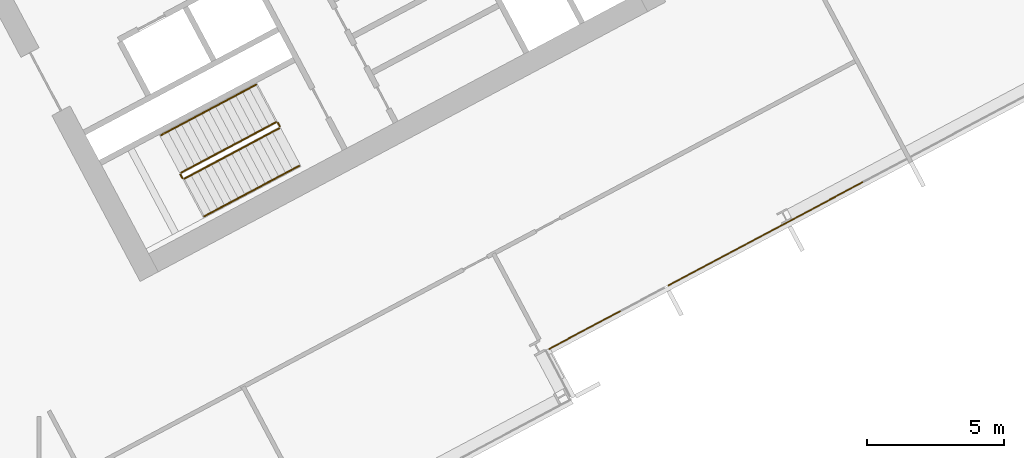
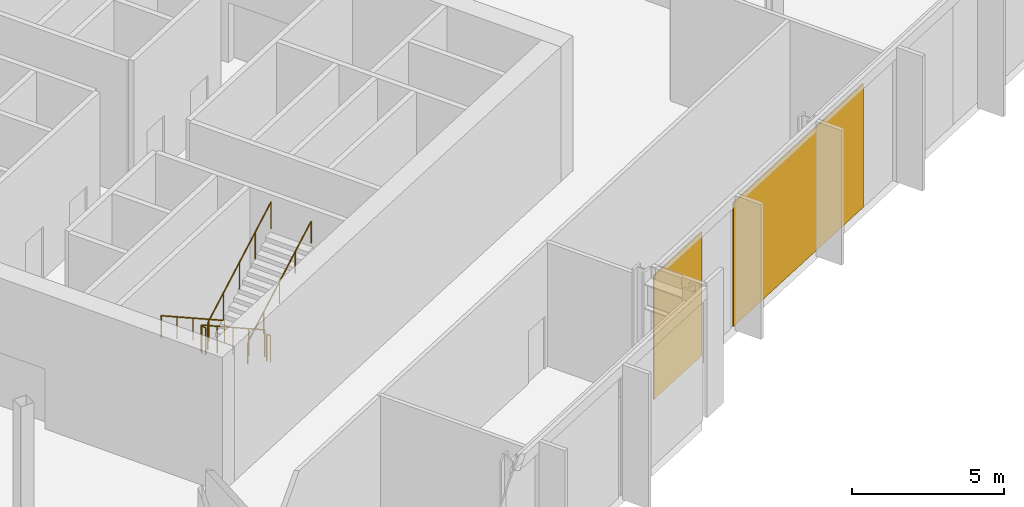
# One storey, part 27 of 31: 6 railings, 2 coverings, 1 element without a shape of its own.
"""IFC4 building model written with IfcOpenShell, lengths in metres."""

import ifcopenshell
import ifcopenshell.guid

model = None  # the IFC model being written
_history = None  # IfcOwnerHistory: only IFC2X3 demands one
_inside = {}  # id of a spatial element -> (the spatial element, [elements in it])
_under = {}  # id of a project, library or spatial element -> (it, [spatial elements below it])
_declared = {}  # id of a project -> (the project, [libraries it declares])
_typed = {}  # id of a type object -> (the type object, [elements of that type])
_made_of = {}  # id of a material, layer set ... -> (it, [elements and type objects made of it])


def new_model(schema):
    """Start an empty IFC model of exactly this schema.

    Asked for "IFC4X3", IfcOpenShell would pick the latest addendum, in which some entities
    have other attributes; the version numbers below select the first issue.
    IFC2X3 requires an IfcOwnerHistory on every rooted entity: one is made here for all.
    """
    global model, _history
    if schema == "IFC4X3":
        model = ifcopenshell.file(schema_version=(4, 3, 0, 0))
    else:
        model = ifcopenshell.file(schema=schema)
    _inside.clear()
    _under.clear()
    _declared.clear()
    _typed.clear()
    _made_of.clear()
    _history = None
    if model.schema == "IFC2X3":
        org = make("IfcOrganization", Name="unknown")
        user = make(
            "IfcPersonAndOrganization",
            ThePerson=make("IfcPerson", FamilyName="unknown"),
            TheOrganization=org,
        )
        app = make(
            "IfcApplication",
            ApplicationDeveloper=org,
            Version="unknown",
            ApplicationFullName="unknown",
            ApplicationIdentifier="unknown",
        )
        _history = make(
            "IfcOwnerHistory",
            OwningUser=user,
            OwningApplication=app,
            ChangeAction="ADDED",
            CreationDate=0,
        )
    return model


def make(cls, **values):
    """One entity of the class cls with the attributes given. An attribute that is None is left unset."""
    return model.create_entity(
        cls, **{name: value for name, value in values.items() if value is not None}
    )


def rooted(cls, **values):
    """An entity with a GlobalId (a new one), such as an element, a storey or a relation."""
    return make(cls, GlobalId=ifcopenshell.guid.new(), OwnerHistory=_history, **values)


def si_unit(unit_type, name, prefix=None):
    """IfcSIUnit, for example si_unit("LENGTHUNIT", "METRE", prefix="MILLI")."""
    return make("IfcSIUnit", UnitType=unit_type, Prefix=prefix, Name=name)


def assignment(units):
    """IfcUnitAssignment: the units of a project."""
    return None if units is None else make("IfcUnitAssignment", Units=units)


def point(xyz):
    """IfcCartesianPoint."""
    return None if xyz is None else make("IfcCartesianPoint", Coordinates=xyz)


def direction(xyz):
    """IfcDirection."""
    return None if xyz is None else make("IfcDirection", DirectionRatios=xyz)


def frame(location, z_axis=None, x_axis=None):
    """IfcAxis2Placement3D, a coordinate frame: its origin and axes. An axis left out is left unset."""
    return make(
        "IfcAxis2Placement3D",
        Location=point(location),
        Axis=direction(z_axis),
        RefDirection=direction(x_axis),
    )


def frame_2d(location, x_axis=None):
    """IfcAxis2Placement2D, a coordinate frame in the plane: its origin and x axis."""
    return make(
        "IfcAxis2Placement2D", Location=point(location), RefDirection=direction(x_axis)
    )


def origin():
    """The frame at (0, 0, 0) with its axes left unset."""
    return frame((0.0, 0.0, 0.0))


def origin_2d():
    """The frame at (0, 0) in the plane with its x axis left unset."""
    return frame_2d((0.0, 0.0))


def place(relative_to, where):
    """IfcLocalPlacement: puts the frame where relative to a parent placement (None: the world)."""
    return make(
        "IfcLocalPlacement", PlacementRelTo=relative_to, RelativePlacement=where
    )


def context(
    kind, dimensions, precision=None, world=None, true_north=None, identifier=None
):
    """IfcGeometricRepresentationContext, for example the 3D "Model" context."""
    return make(
        "IfcGeometricRepresentationContext",
        ContextIdentifier=identifier,
        ContextType=kind,
        CoordinateSpaceDimension=dimensions,
        Precision=precision,
        WorldCoordinateSystem=world,
        TrueNorth=true_north,
    )


def subcontext(parent, identifier, kind, view, scale=None):
    """IfcGeometricRepresentationSubContext, for example "Body" below "Model"."""
    return make(
        "IfcGeometricRepresentationSubContext",
        ContextIdentifier=identifier,
        ContextType=kind,
        ParentContext=parent,
        TargetScale=scale,
        TargetView=view,
    )


def project(units=None, contexts=None):
    """IfcProject with its units and contexts."""
    return rooted(
        "IfcProject",
        Name="project",
        RepresentationContexts=contexts,
        UnitsInContext=assignment(units),
    )


def spatial(cls, under=None, at=None, **own):
    """A site, building, storey or space (cls), placed at a placement, below another one or the project."""
    s = rooted(cls, ObjectPlacement=at, **own)
    if under is not None:
        _under.setdefault(under.id(), (under, []))[1].append(s)
    return s


def polyline(points):
    """IfcPolyline through the points."""
    return make("IfcPolyline", Points=[point(p) for p in points])


def profile(cls, at=None, kind="AREA", **sizes):
    """A parametric profile (cls). Its sizes go by their IFC names, for example OverallWidth=200.0."""
    return make(cls, ProfileType=kind, Position=at, **sizes)


def rectangle(**sizes):
    """IfcRectangleProfileDef."""
    return profile("IfcRectangleProfileDef", **sizes)


def outline(outer, holes=None, kind="AREA"):
    """IfcArbitraryClosedProfileDef: a profile drawn as a closed curve; with holes, ...WithVoids."""
    if holes is None:
        return make("IfcArbitraryClosedProfileDef", ProfileType=kind, OuterCurve=outer)
    return make(
        "IfcArbitraryProfileDefWithVoids",
        ProfileType=kind,
        OuterCurve=outer,
        InnerCurves=holes,
    )


def extrude(swept, where, along, depth):
    """IfcExtrudedAreaSolid: the profile swept, set in the frame where, extruded along a direction by depth."""
    return make(
        "IfcExtrudedAreaSolid",
        SweptArea=swept,
        Position=where,
        ExtrudedDirection=direction(along),
        Depth=depth,
    )


def shape(context_of_items, identifier, shape_type, items):
    """IfcShapeRepresentation: the items that make up one representation, for example the "Body"."""
    return make(
        "IfcShapeRepresentation",
        ContextOfItems=context_of_items,
        RepresentationIdentifier=identifier,
        RepresentationType=shape_type,
        Items=items,
    )


def material(Name=None, Category=None):
    """IfcMaterial."""
    return make("IfcMaterial", Name=Name, Category=Category)


def layer(
    of_material, thickness, ventilated=None, Name=None, Category=None, Priority=None
):
    """IfcMaterialLayer: one layer of a wall or slab, of a material (None: an air gap)."""
    return make(
        "IfcMaterialLayer",
        Material=of_material,
        LayerThickness=thickness,
        IsVentilated=ventilated,
        Name=Name,
        Category=Category,
        Priority=Priority,
    )


def layer_set(layers, Name=None):
    """IfcMaterialLayerSet."""
    return make("IfcMaterialLayerSet", MaterialLayers=layers, LayerSetName=Name)


def made_of(thing, what):
    """Note that an element or type object is made of a material, layer set ...; save() writes the relation."""
    if what is not None:
        _made_of.setdefault(what.id(), (what, []))[1].append(thing)
    return thing


def type_object(cls, material=None, **own):
    """A type object (cls), such as IfcWallType, which elements share."""
    return made_of(rooted(cls, **own), material)


def element(
    cls,
    number,
    at=None,
    inside=None,
    cuts=None,
    type_object=None,
    material=None,
    context=None,
    identifier="Body",
    shape_type=None,
    held_by="IfcProductDefinitionShape",
    body=None,
    shapes=None,
    **own,
):
    """One element of the class cls, such as IfcWall. Its Tag is "e" and its number.

    at: its placement. inside: the storey or other place that contains it. cuts: it is an
    opening in that element (IfcRelVoidsElement). A single representation is given by context,
    identifier, shape_type and body (its items); several are given by shapes. held_by: the class
    of the entity that holds the representations. save() writes the other relations.
    """
    e = rooted(cls, Tag="e%d" % number, ObjectPlacement=at, **own)
    if body is not None:
        shapes = [shape(context, identifier, shape_type, body)]
    if shapes is not None:
        e.Representation = make(held_by, Representations=shapes)
    if inside is not None:
        _inside.setdefault(inside.id(), (inside, []))[1].append(e)
    if cuts is not None:
        rooted(
            "IfcRelVoidsElement", RelatingBuildingElement=cuts, RelatedOpeningElement=e
        )
    if type_object is not None:
        _typed.setdefault(type_object.id(), (type_object, []))[1].append(e)
    return made_of(e, material)


def aggregate(whole, parts):
    """IfcRelAggregates: a whole, such as a stair, and the parts it consists of."""
    return rooted("IfcRelAggregates", RelatingObject=whole, RelatedObjects=parts)


def save(model, path):
    """Write the relations noted so far, then the file.

    IfcRelAggregates (storeys below a building ...), IfcRelContainedInSpatialStructure (elements
    in a storey), IfcRelDefinesByType, IfcRelAssociatesMaterial and IfcRelDeclares: one each for
    every whole, place, type object, material and project.
    """
    for whole, parts in _under.values():
        aggregate(whole, parts)
    for where, things in _inside.values():
        rooted(
            "IfcRelContainedInSpatialStructure",
            RelatedElements=things,
            RelatingStructure=where,
        )
    for kind, things in _typed.values():
        rooted("IfcRelDefinesByType", RelatedObjects=things, RelatingType=kind)
    for what, things in _made_of.values():
        rooted("IfcRelAssociatesMaterial", RelatedObjects=things, RelatingMaterial=what)
    for by, libraries in _declared.values():
        rooted("IfcRelDeclares", RelatingContext=by, RelatedDefinitions=libraries)
    model.write(path)


model = new_model("IFC4")

# Units and contexts
model_context = context("Model", 3, precision=1e-05, world=origin(), true_north=direction((0.0, 1.0)))
body_context = subcontext(model_context, "Body", "Model", "MODEL_VIEW")
ifc_project = project(units=[si_unit("LENGTHUNIT", "METRE"), si_unit("AREAUNIT", "SQUARE_METRE"), si_unit("VOLUMEUNIT", "CUBIC_METRE"), si_unit("PLANEANGLEUNIT", "RADIAN"), si_unit("MASSUNIT", "GRAM", prefix="KILO")], contexts=[model_context])

# Site, building, storey
site_placement = place(None, origin())
site = spatial("IfcSite", under=ifc_project, at=site_placement, CompositionType="ELEMENT")
building_placement = place(site_placement, origin())
building = spatial("IfcBuilding", under=site, at=building_placement, Name="Cormorant Relay Tower", CompositionType="ELEMENT")
storey_placement = place(building_placement, frame((0.0, 0.0, 178.199951171875)))
storey = spatial("IfcBuildingStorey", under=building, at=storey_placement, Name="L38", CompositionType="ELEMENT", Elevation=178.199951171875)

# Curtain wall, coverings
ifc_material_1 = material(Name="Aluminium 6063-T6 anodised bronze", Category="aluminium")
ifc_layer_1 = layer(ifc_material_1, 0.199951171875)
ifc_layer_set_1 = layer_set([ifc_layer_1], Name="CW1 unitised bronze curtain wall with vertical fins")
curtain_wall_type = type_object("IfcCurtainWallType", Name="CW1 unitised bronze curtain wall with vertical fins", PredefinedType="NOTDEFINED", material=ifc_layer_set_1)
curtain_wall_placement = place(storey_placement, origin())
curtain_wall = element("IfcCurtainWall", 1, at=curtain_wall_placement, inside=storey, type_object=curtain_wall_type, Name="CW1 curtain wall 4", PredefinedType="NOTDEFINED")
ifc_material_2 = material(Name="Pale bronze anodised aluminium insulated panel", Category="aluminium")
ifc_layer_2 = layer(ifc_material_2, 0.0400390625)
ifc_layer_set_2 = layer_set([ifc_layer_2], Name="CW1 pale bronze insulated panel 40")
covering_type = type_object("IfcCoveringType", Name="CW1 pale bronze insulated panel 40", PredefinedType="CLADDING", material=ifc_layer_set_2)
covering_1_placement = place(storey_placement, frame((35.09765625, -2.879638671875, 0.0), z_axis=(0.0, 0.0, 1.0), x_axis=(0.882947592859, 0.469471562786, 0.0)))
covering_1 = element("IfcCovering", 2, at=covering_1_placement, type_object=covering_type, Name="CW1 panel S00", PredefinedType="CLADDING", context=body_context, shape_type="SweptSolid", body=[
    extrude(rectangle(XDim=2.97509765625, YDim=0.0400390625, at=origin_2d()), origin(), (0.0, 0.0, 1.0), 4.949951171875),
])
covering_2_placement = place(storey_placement, frame((41.686767578125, 0.623779296875, 0.0), z_axis=(0.0, 0.0, 1.0), x_axis=(0.882947592859, 0.469471562786, 0.0)))
covering_2 = element("IfcCovering", 3, at=covering_2_placement, type_object=covering_type, Name="CW1 panel S02", PredefinedType="CLADDING", context=body_context, shape_type="SweptSolid", body=[
    extrude(rectangle(XDim=8.050048828125, YDim=0.0400390625, at=origin_2d()), origin(), (0.0, 0.0, 1.0), 4.949951171875),
])
aggregate(curtain_wall, [covering_1, covering_2])

# Railings
ifc_material_3 = material(Name="Steel ASTM A572 Grade 50 (Fy 345 MPa)", Category="steel")
railing_type_1 = type_object("IfcRailingType", Name="Stair guard 1100", PredefinedType="GUARDRAIL", material=ifc_material_3)
railing_1_placement = place(storey_placement, frame((23.83837890625, 4.6904296875, 0.179931640625)))
element("IfcRailing", 4, at=railing_1_placement, inside=storey, type_object=railing_type_1, Name="L38 B1 stair guard 1", PredefinedType="GUARDRAIL", context=body_context, shape_type="SweptSolid", body=[
    extrude(outline(polyline([(0.022216796875, 0.00927734375), (0.00927734375, 0.022216796875), (-0.00927734375, 0.022216796875), (-0.022216796875, 0.00927734375), (-0.022216796875, -0.00927734375), (-0.00927734375, -0.022216796875), (0.00927734375, -0.022216796875), (0.022216796875, -0.00927734375), (0.022216796875, 0.00927734375)])), frame((0.0, 0.0, 1.076171875), z_axis=(-0.74271721126, -0.394907409077, 0.540758062681), x_axis=(0.469469396681, -0.882948744594, 0.0)), (0.0, 0.0, 1.0), 4.66015625),
    extrude(outline(polyline([(0.019287109375, 0.008056640625), (0.008056640625, 0.019287109375), (-0.008056640625, 0.019287109375), (-0.019287109375, 0.008056640625), (-0.019287109375, -0.008056640625), (-0.008056640625, -0.019287109375), (0.008056640625, -0.019287109375), (0.019287109375, -0.008056640625), (0.019287109375, 0.008056640625)])), origin(), (0.0, 0.0, 1.0), 1.052001953125),
    extrude(outline(polyline([(0.019287109375, 0.008056640625), (0.008056640625, 0.019287109375), (-0.008056640625, 0.019287109375), (-0.019287109375, 0.008056640625), (-0.019287109375, -0.008056640625), (-0.008056640625, -0.019287109375), (0.008056640625, -0.019287109375), (0.019287109375, -0.008056640625), (0.019287109375, 0.008056640625)])), frame((-0.865234375, -0.4599609375, 0.6298828125)), (0.0, 0.0, 1.0), 1.052001953125),
    extrude(outline(polyline([(0.019287109375, 0.008056640625), (0.008056640625, 0.019287109375), (-0.008056640625, 0.019287109375), (-0.019287109375, 0.008056640625), (-0.019287109375, -0.008056640625), (-0.008056640625, -0.019287109375), (0.008056640625, -0.019287109375), (0.019287109375, -0.008056640625), (0.019287109375, 0.008056640625)])), frame((-1.73046875, -0.920166015625, 1.260009765625)), (0.0, 0.0, 1.0), 1.052001953125),
    extrude(outline(polyline([(0.019287109375, 0.008056640625), (0.008056640625, 0.019287109375), (-0.008056640625, 0.019287109375), (-0.019287109375, 0.008056640625), (-0.019287109375, -0.008056640625), (-0.008056640625, -0.019287109375), (0.008056640625, -0.019287109375), (0.019287109375, -0.008056640625), (0.019287109375, 0.008056640625)])), frame((-2.595947265625, -1.38037109375, 1.89013671875)), (0.0, 0.0, 1.0), 1.052001953125),
    extrude(outline(polyline([(0.019287109375, 0.008056640625), (0.008056640625, 0.019287109375), (-0.008056640625, 0.019287109375), (-0.019287109375, 0.008056640625), (-0.019287109375, -0.008056640625), (-0.008056640625, -0.019287109375), (0.008056640625, -0.019287109375), (0.019287109375, -0.008056640625), (0.019287109375, 0.008056640625)])), frame((-3.461181640625, -1.84033203125, 2.52001953125)), (0.0, 0.0, 1.0), 1.052001953125),
])
railing_2_placement = place(storey_placement, frame((20.3564453125, 2.782470703125, 2.699951171875)))
element("IfcRailing", 5, at=railing_2_placement, inside=storey, type_object=railing_type_1, Name="L38 B1 stair guard 2", PredefinedType="GUARDRAIL", context=body_context, shape_type="SweptSolid", body=[
    extrude(outline(polyline([(0.022216796875, 0.00927734375), (0.00927734375, 0.022216796875), (-0.00927734375, 0.022216796875), (-0.022216796875, 0.00927734375), (-0.022216796875, -0.00927734375), (-0.00927734375, -0.022216796875), (0.00927734375, -0.022216796875), (0.022216796875, -0.00927734375), (0.022216796875, 0.00927734375)])), frame((0.0, 0.0, 1.076171875), z_axis=(0.470503732759, -0.882398003998, 0.0), x_axis=(0.882398003998, 0.470503732759, 0.0)), (0.0, 0.0, 1.0), 0.14990234375),
    extrude(outline(polyline([(0.019287109375, 0.008056640625), (0.008056640625, 0.019287109375), (-0.008056640625, 0.019287109375), (-0.019287109375, 0.008056640625), (-0.019287109375, -0.008056640625), (-0.008056640625, -0.019287109375), (0.008056640625, -0.019287109375), (0.019287109375, -0.008056640625), (0.019287109375, 0.008056640625)])), origin(), (0.0, 0.0, 1.0), 1.052001953125),
    extrude(outline(polyline([(0.019287109375, 0.008056640625), (0.008056640625, 0.019287109375), (-0.008056640625, 0.019287109375), (-0.019287109375, 0.008056640625), (-0.019287109375, -0.008056640625), (-0.008056640625, -0.019287109375), (0.008056640625, -0.019287109375), (0.019287109375, -0.008056640625), (0.019287109375, 0.008056640625)])), frame((0.070556640625, -0.13232421875, 0.0)), (0.0, 0.0, 1.0), 1.052001953125),
])
railing_3_placement = place(storey_placement, frame((20.49462890625, 2.62939453125, 2.880126953125)))
element("IfcRailing", 6, at=railing_3_placement, inside=storey, type_object=railing_type_1, Name="L38 B1 stair guard 3", PredefinedType="GUARDRAIL", context=body_context, shape_type="SweptSolid", body=[
    extrude(outline(polyline([(0.022216796875, 0.00927734375), (0.00927734375, 0.022216796875), (-0.00927734375, 0.022216796875), (-0.022216796875, 0.00927734375), (-0.022216796875, -0.00927734375), (-0.00927734375, -0.022216796875), (0.00927734375, -0.022216796875), (0.022216796875, -0.00927734375), (0.022216796875, 0.00927734375)])), frame((0.0, 0.0, 1.076171875), z_axis=(0.742693720225, 0.394922775329, 0.540779104131), x_axis=(-0.469495214196, 0.882935016775, 0.0)), (0.0, 0.0, 1.0), 4.659912109375),
    extrude(outline(polyline([(0.019287109375, 0.008056640625), (0.008056640625, 0.019287109375), (-0.008056640625, 0.019287109375), (-0.019287109375, 0.008056640625), (-0.019287109375, -0.008056640625), (-0.008056640625, -0.019287109375), (0.008056640625, -0.019287109375), (0.019287109375, -0.008056640625), (0.019287109375, 0.008056640625)])), origin(), (0.0, 0.0, 1.0), 1.052001953125),
    extrude(outline(polyline([(0.019287109375, 0.008056640625), (0.008056640625, 0.019287109375), (-0.008056640625, 0.019287109375), (-0.019287109375, 0.008056640625), (-0.019287109375, -0.008056640625), (-0.008056640625, -0.019287109375), (0.008056640625, -0.019287109375), (0.019287109375, -0.008056640625), (0.019287109375, 0.008056640625)])), frame((0.865234375, 0.4599609375, 0.6298828125)), (0.0, 0.0, 1.0), 1.052001953125),
    extrude(outline(polyline([(0.019287109375, 0.008056640625), (0.008056640625, 0.019287109375), (-0.008056640625, 0.019287109375), (-0.019287109375, 0.008056640625), (-0.019287109375, -0.008056640625), (-0.008056640625, -0.019287109375), (0.008056640625, -0.019287109375), (0.019287109375, -0.008056640625), (0.019287109375, 0.008056640625)])), frame((1.73046875, 0.920166015625, 1.260009765625)), (0.0, 0.0, 1.0), 1.052001953125),
    extrude(outline(polyline([(0.019287109375, 0.008056640625), (0.008056640625, 0.019287109375), (-0.008056640625, 0.019287109375), (-0.019287109375, 0.008056640625), (-0.019287109375, -0.008056640625), (-0.008056640625, -0.019287109375), (0.008056640625, -0.019287109375), (0.019287109375, -0.008056640625), (0.019287109375, 0.008056640625)])), frame((2.595703125, 1.38037109375, 1.89013671875)), (0.0, 0.0, 1.0), 1.052001953125),
    extrude(outline(polyline([(0.019287109375, 0.008056640625), (0.008056640625, 0.019287109375), (-0.008056640625, 0.019287109375), (-0.019287109375, 0.008056640625), (-0.019287109375, -0.008056640625), (-0.008056640625, -0.019287109375), (0.008056640625, -0.019287109375), (0.019287109375, -0.008056640625), (0.019287109375, 0.008056640625)])), frame((3.4609375, 1.84033203125, 2.52001953125)), (0.0, 0.0, 1.0), 1.052001953125),
])
railing_4_placement = place(storey_placement, frame((23.906005859375, 4.669677734375, 0.0)))
element("IfcRailing", 7, at=railing_4_placement, inside=storey, type_object=railing_type_1, Name="L38 B1 stair guard 4", PredefinedType="GUARDRAIL", context=body_context, shape_type="SweptSolid", body=[
    extrude(outline(polyline([(0.022216796875, 0.00927734375), (0.00927734375, 0.022216796875), (-0.00927734375, 0.022216796875), (-0.022216796875, 0.00927734375), (-0.022216796875, -0.00927734375), (-0.00927734375, -0.022216796875), (0.00927734375, -0.022216796875), (0.022216796875, -0.00927734375), (0.022216796875, 0.00927734375)])), frame((0.0, 0.0, 1.076171875), z_axis=(0.469234640946, -0.883073525669, 0.0), x_axis=(0.883073525669, 0.469234640946, 0.0)), (0.0, 0.0, 1.0), 0.14990234375),
    extrude(outline(polyline([(0.019287109375, 0.008056640625), (0.008056640625, 0.019287109375), (-0.008056640625, 0.019287109375), (-0.019287109375, 0.008056640625), (-0.019287109375, -0.008056640625), (-0.008056640625, -0.019287109375), (0.008056640625, -0.019287109375), (0.019287109375, -0.008056640625), (0.019287109375, 0.008056640625)])), origin(), (0.0, 0.0, 1.0), 1.052001953125),
    extrude(outline(polyline([(0.019287109375, 0.008056640625), (0.008056640625, 0.019287109375), (-0.008056640625, 0.019287109375), (-0.019287109375, 0.008056640625), (-0.019287109375, -0.008056640625), (-0.008056640625, -0.019287109375), (0.008056640625, -0.019287109375), (0.019287109375, -0.008056640625), (0.019287109375, 0.008056640625)])), frame((0.0703125, -0.13232421875, 0.0)), (0.0, 0.0, 1.0), 1.052001953125),
])
ifc_material_4 = material(Name="Steel ASTM A572 Grade 50 (Fy 345 MPa)", Category="steel")
railing_type_2 = type_object("IfcRailingType", Name="Stair handrail 900", PredefinedType="HANDRAIL", material=ifc_material_4)
railing_5_placement = place(storey_placement, frame((23.110595703125, 6.05908203125, 0.179931640625)))
element("IfcRailing", 8, at=railing_5_placement, inside=storey, type_object=railing_type_2, Name="L38 B1 stair handrail 1", PredefinedType="HANDRAIL", context=body_context, shape_type="SweptSolid", body=[
    extrude(outline(polyline([(0.022216796875, 0.00927734375), (0.00927734375, 0.022216796875), (-0.00927734375, 0.022216796875), (-0.022216796875, 0.00927734375), (-0.022216796875, -0.00927734375), (-0.00927734375, -0.022216796875), (0.00927734375, -0.022216796875), (0.022216796875, -0.00927734375), (0.022216796875, 0.00927734375)])), frame((0.0, 0.0, 0.8759765625), z_axis=(-0.74271721126, -0.394907409077, 0.540758062681), x_axis=(0.469469396681, -0.882948744594, 0.0)), (0.0, 0.0, 1.0), 4.66015625),
    extrude(outline(polyline([(0.019287109375, 0.008056640625), (0.008056640625, 0.019287109375), (-0.008056640625, 0.019287109375), (-0.019287109375, 0.008056640625), (-0.019287109375, -0.008056640625), (-0.008056640625, -0.019287109375), (0.008056640625, -0.019287109375), (0.019287109375, -0.008056640625), (0.019287109375, 0.008056640625)])), origin(), (0.0, 0.0, 1.0), 0.851806640625),
    extrude(outline(polyline([(0.019287109375, 0.008056640625), (0.008056640625, 0.019287109375), (-0.008056640625, 0.019287109375), (-0.019287109375, 0.008056640625), (-0.019287109375, -0.008056640625), (-0.008056640625, -0.019287109375), (0.008056640625, -0.019287109375), (0.019287109375, -0.008056640625), (0.019287109375, 0.008056640625)])), frame((-0.865234375, -0.4599609375, 0.6298828125)), (0.0, 0.0, 1.0), 0.851806640625),
    extrude(outline(polyline([(0.019287109375, 0.008056640625), (0.008056640625, 0.019287109375), (-0.008056640625, 0.019287109375), (-0.019287109375, 0.008056640625), (-0.019287109375, -0.008056640625), (-0.008056640625, -0.019287109375), (0.008056640625, -0.019287109375), (0.019287109375, -0.008056640625), (0.019287109375, 0.008056640625)])), frame((-1.73046875, -0.920166015625, 1.260009765625)), (0.0, 0.0, 1.0), 0.851806640625),
    extrude(outline(polyline([(0.019287109375, 0.008056640625), (0.008056640625, 0.019287109375), (-0.008056640625, 0.019287109375), (-0.019287109375, 0.008056640625), (-0.019287109375, -0.008056640625), (-0.008056640625, -0.019287109375), (0.008056640625, -0.019287109375), (0.019287109375, -0.008056640625), (0.019287109375, 0.008056640625)])), frame((-2.595947265625, -1.38037109375, 1.89013671875)), (0.0, 0.0, 1.0), 0.851806640625),
    extrude(outline(polyline([(0.019287109375, 0.008056640625), (0.008056640625, 0.019287109375), (-0.008056640625, 0.019287109375), (-0.019287109375, 0.008056640625), (-0.019287109375, -0.008056640625), (-0.008056640625, -0.019287109375), (0.008056640625, -0.019287109375), (0.019287109375, -0.008056640625), (0.019287109375, 0.008056640625)])), frame((-3.461181640625, -1.84033203125, 2.52001953125)), (0.0, 0.0, 1.0), 0.851806640625),
])
railing_6_placement = place(storey_placement, frame((21.22216796875, 1.2607421875, 2.880126953125)))
element("IfcRailing", 9, at=railing_6_placement, inside=storey, type_object=railing_type_2, Name="L38 B1 stair handrail 2", PredefinedType="HANDRAIL", context=body_context, shape_type="SweptSolid", body=[
    extrude(outline(polyline([(0.022216796875, 0.00927734375), (0.00927734375, 0.022216796875), (-0.00927734375, 0.022216796875), (-0.022216796875, 0.00927734375), (-0.022216796875, -0.00927734375), (-0.00927734375, -0.022216796875), (0.00927734375, -0.022216796875), (0.022216796875, -0.00927734375), (0.022216796875, 0.00927734375)])), frame((0.0, 0.0, 0.8759765625), z_axis=(0.74271721126, 0.394907409077, 0.540758062681), x_axis=(-0.469469396681, 0.882948744594, 0.0)), (0.0, 0.0, 1.0), 4.66015625),
    extrude(outline(polyline([(0.019287109375, 0.008056640625), (0.008056640625, 0.019287109375), (-0.008056640625, 0.019287109375), (-0.019287109375, 0.008056640625), (-0.019287109375, -0.008056640625), (-0.008056640625, -0.019287109375), (0.008056640625, -0.019287109375), (0.019287109375, -0.008056640625), (0.019287109375, 0.008056640625)])), origin(), (0.0, 0.0, 1.0), 0.851806640625),
    extrude(outline(polyline([(0.019287109375, 0.008056640625), (0.008056640625, 0.019287109375), (-0.008056640625, 0.019287109375), (-0.019287109375, 0.008056640625), (-0.019287109375, -0.008056640625), (-0.008056640625, -0.019287109375), (0.008056640625, -0.019287109375), (0.019287109375, -0.008056640625), (0.019287109375, 0.008056640625)])), frame((0.865234375, 0.4599609375, 0.6298828125)), (0.0, 0.0, 1.0), 0.851806640625),
    extrude(outline(polyline([(0.019287109375, 0.008056640625), (0.008056640625, 0.019287109375), (-0.008056640625, 0.019287109375), (-0.019287109375, 0.008056640625), (-0.019287109375, -0.008056640625), (-0.008056640625, -0.019287109375), (0.008056640625, -0.019287109375), (0.019287109375, -0.008056640625), (0.019287109375, 0.008056640625)])), frame((1.73046875, 0.920166015625, 1.260009765625)), (0.0, 0.0, 1.0), 0.851806640625),
    extrude(outline(polyline([(0.019287109375, 0.008056640625), (0.008056640625, 0.019287109375), (-0.008056640625, 0.019287109375), (-0.019287109375, 0.008056640625), (-0.019287109375, -0.008056640625), (-0.008056640625, -0.019287109375), (0.008056640625, -0.019287109375), (0.019287109375, -0.008056640625), (0.019287109375, 0.008056640625)])), frame((2.595947265625, 1.38037109375, 1.89013671875)), (0.0, 0.0, 1.0), 0.851806640625),
    extrude(outline(polyline([(0.019287109375, 0.008056640625), (0.008056640625, 0.019287109375), (-0.008056640625, 0.019287109375), (-0.019287109375, 0.008056640625), (-0.019287109375, -0.008056640625), (-0.008056640625, -0.019287109375), (0.008056640625, -0.019287109375), (0.019287109375, -0.008056640625), (0.019287109375, 0.008056640625)])), frame((3.461181640625, 1.84033203125, 2.52001953125)), (0.0, 0.0, 1.0), 0.851806640625),
])

save(model, "model.ifc")
